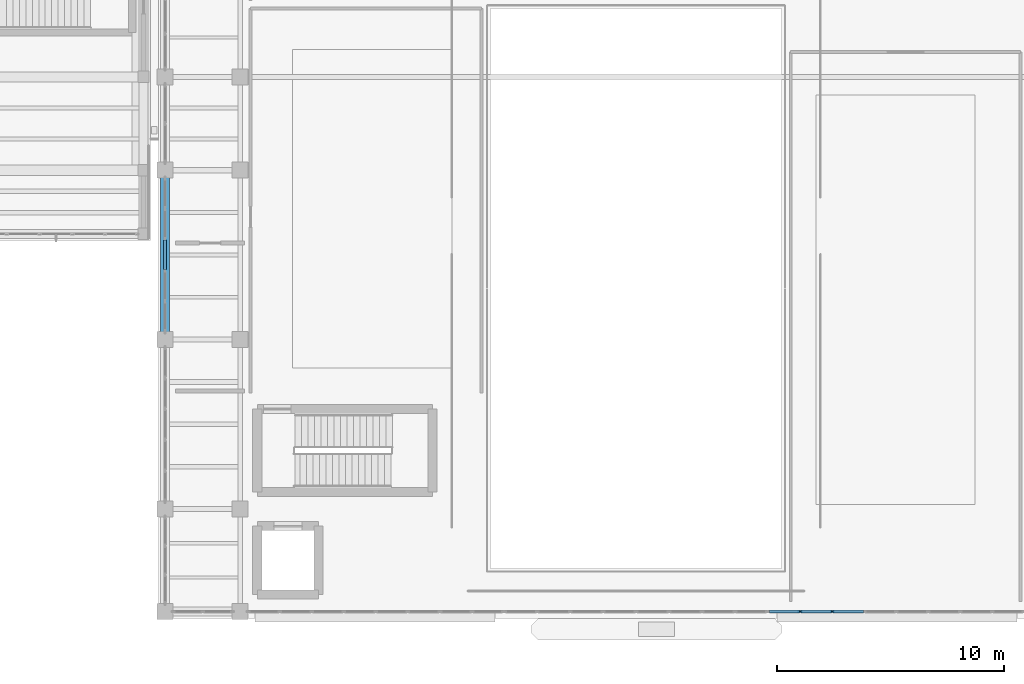
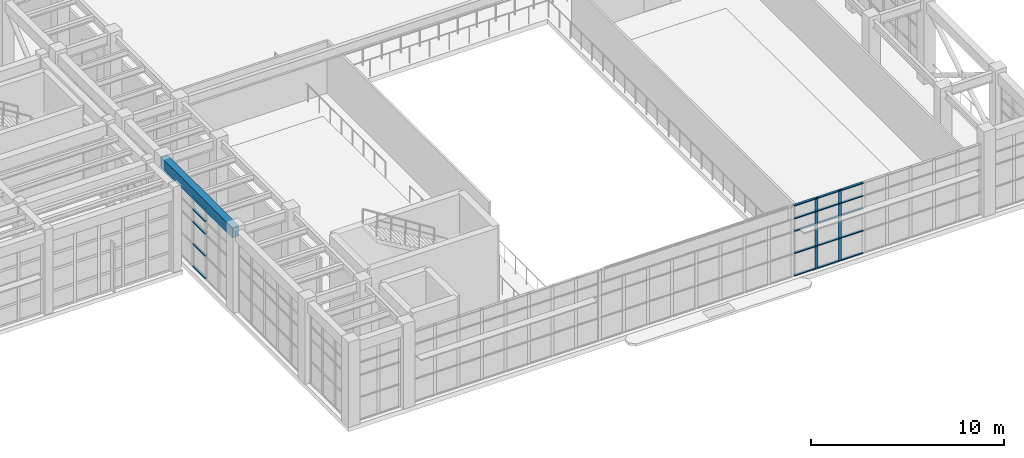
# One storey, part 36 of 103: 22 members, 1 beam, 2 elements without a shape of their own.
"""IFC4 building model written with IfcOpenShell, lengths in metres."""

from ifc_helpers import new_model, si_unit, direction, frame, origin, origin_2d, place, context, subcontext, project, spatial, rectangle, extrude, material, layer, layer_set, material_profile, profile_set, type_object, element, aggregate, save


model = new_model("IFC4")

# Units and contexts
model_context = context("Model", 3, precision=1e-05, world=origin(), true_north=direction((0.0, 1.0)))
body_context = subcontext(model_context, "Body", "Model", "MODEL_VIEW")
ifc_project = project(units=[si_unit("LENGTHUNIT", "METRE"), si_unit("AREAUNIT", "SQUARE_METRE"), si_unit("VOLUMEUNIT", "CUBIC_METRE"), si_unit("PLANEANGLEUNIT", "RADIAN"), si_unit("MASSUNIT", "GRAM", prefix="KILO")], contexts=[model_context])

# Site, building, storey
site_placement = place(None, origin())
site = spatial("IfcSite", under=ifc_project, at=site_placement, CompositionType="ELEMENT")
building_placement = place(site_placement, origin())
building = spatial("IfcBuilding", under=site, at=building_placement, Name="Candilejo Ridge Gondola Terminal", CompositionType="ELEMENT")
storey_placement = place(building_placement, frame((0.0, 0.0, 9.0)))
storey = spatial("IfcBuildingStorey", under=building, at=storey_placement, Name="L02", CompositionType="ELEMENT", Elevation=9.0)

# Curtain wall, members
ifc_material_1 = material(Name="Anodised aluminium AA 6063-T6", Category="aluminium")
ifc_layer_1 = layer(ifc_material_1, 0.169921875)
ifc_layer_set_1 = layer_set([ifc_layer_1], Name="ARC-CW-HALL-3800-1128X449")
curtain_wall_type_1 = type_object("IfcCurtainWallType", Name="ARC-CW-HALL-3800-1128X449", PredefinedType="NOTDEFINED", material=ifc_layer_set_1)
curtain_wall_1_placement = place(storey_placement, origin())
curtain_wall_1 = element("IfcCurtainWall", 1, at=curtain_wall_1_placement, inside=storey, type_object=curtain_wall_type_1, Name="Curtain wall V4 L02-148", PredefinedType="NOTDEFINED")
ifc_material_2 = material(Name="Anodised aluminium AA 6063-T6", Category="aluminium")
ifc_material_profile_1 = material_profile(ifc_material_2, rectangle(XDim=0.06494140625, YDim=0.179931640625, at=origin_2d()))
ifc_profile_set_1 = profile_set([ifc_material_profile_1], Name="Anodised aluminium AA 6063-T6")
member_type_1 = type_object("IfcMemberType", Name="ARC-CW-MULLION-180", PredefinedType="MULLION", material=ifc_profile_set_1)
member_1_placement = place(storey_placement, frame((161.809326171875, 6.300048828125, 0.0), z_axis=(0.0, 0.0, 1.0), x_axis=(0.0, 1.0, 0.0)))
member_1 = element("IfcMember", 2, at=member_1_placement, type_object=member_type_1, Name="CW-112X44 mullion 2", PredefinedType="MULLION", context=body_context, shape_type="SweptSolid", body=[
    extrude(rectangle(XDim=0.06494140625, YDim=0.179931640625, at=origin_2d()), origin(), (0.0, 0.0, 1.0), 4.489990234375),
])
member_2_placement = place(storey_placement, frame((163.21875, 6.300048828125, 0.0), z_axis=(0.0, 0.0, 1.0), x_axis=(0.0, 1.0, 0.0)))
member_2 = element("IfcMember", 3, at=member_2_placement, type_object=member_type_1, Name="CW-112X44 mullion 3", PredefinedType="MULLION", context=body_context, shape_type="SweptSolid", body=[
    extrude(rectangle(XDim=0.06494140625, YDim=0.179931640625, at=origin_2d()), origin(), (0.0, 0.0, 1.0), 4.489990234375),
])

ifc_material_3 = material(Name="Anodised aluminium AA 6063-T6", Category="aluminium")
ifc_layer_2 = layer(ifc_material_3, 0.169921875)
ifc_layer_set_2 = layer_set([ifc_layer_2], Name="ARC-CW-HALL-3800-680X449")
curtain_wall_type_2 = type_object("IfcCurtainWallType", Name="ARC-CW-HALL-3800-680X449", PredefinedType="NOTDEFINED", material=ifc_layer_set_2)
curtain_wall_2_placement = place(storey_placement, origin())
curtain_wall_2 = element("IfcCurtainWall", 4, at=curtain_wall_2_placement, inside=storey, type_object=curtain_wall_type_2, Name="Curtain wall V4 L02-135", PredefinedType="NOTDEFINED")
ifc_material_4 = material(Name="Anodised aluminium AA 6063-T6", Category="aluminium")
ifc_material_profile_2 = material_profile(ifc_material_4, rectangle(XDim=0.1298828125, YDim=0.06005859375, at=origin_2d()))
ifc_profile_set_2 = profile_set([ifc_material_profile_2], Name="Anodised aluminium AA 6063-T6")
member_type_2 = type_object("IfcMemberType", Name="ARC-CW-TRANSOM-130", PredefinedType="USERDEFINED", material=ifc_profile_set_2)
member_3_placement = place(storey_placement, frame((133.89990234375, 21.327392578125, 0.030029296875), z_axis=(0.0, 1.0, 0.0), x_axis=(-1.0, 0.0, 0.0)))
member_3 = element("IfcMember", 5, at=member_3_placement, type_object=member_type_2, Name="CW-68X44 transom 3.1", ObjectType="TRANSOM", PredefinedType="USERDEFINED", context=body_context, shape_type="SweptSolid", body=[
    extrude(rectangle(XDim=0.1298828125, YDim=0.06005859375, at=origin_2d()), origin(), (0.0, 0.0, 1.0), 1.295166015625),
])
member_4_placement = place(storey_placement, frame((133.89990234375, 21.327392578125, 1.449951171875), z_axis=(0.0, 1.0, 0.0), x_axis=(-1.0, 0.0, 0.0)))
member_4 = element("IfcMember", 6, at=member_4_placement, type_object=member_type_2, Name="CW-68X44 transom 3.2", ObjectType="TRANSOM", PredefinedType="USERDEFINED", context=body_context, shape_type="SweptSolid", body=[
    extrude(rectangle(XDim=0.1298828125, YDim=0.06005859375, at=origin_2d()), origin(), (0.0, 0.0, 1.0), 1.295166015625),
])
member_5_placement = place(storey_placement, frame((133.89990234375, 21.327392578125, 2.85009765625), z_axis=(0.0, 1.0, 0.0), x_axis=(-1.0, 0.0, 0.0)))
member_5 = element("IfcMember", 7, at=member_5_placement, type_object=member_type_2, Name="CW-68X44 transom 3.3", ObjectType="TRANSOM", PredefinedType="USERDEFINED", context=body_context, shape_type="SweptSolid", body=[
    extrude(rectangle(XDim=0.1298828125, YDim=0.06005859375, at=origin_2d()), origin(), (0.0, 0.0, 1.0), 1.295166015625),
])
member_6_placement = place(storey_placement, frame((133.89990234375, 21.327392578125, 3.64990234375), z_axis=(0.0, 1.0, 0.0), x_axis=(-1.0, 0.0, 0.0)))
member_6 = element("IfcMember", 8, at=member_6_placement, type_object=member_type_2, Name="CW-68X44 transom 3.4", ObjectType="TRANSOM", PredefinedType="USERDEFINED", context=body_context, shape_type="SweptSolid", body=[
    extrude(rectangle(XDim=0.1298828125, YDim=0.06005859375, at=origin_2d()), origin(), (0.0, 0.0, 1.0), 1.295166015625),
])
member_7_placement = place(storey_placement, frame((133.89990234375, 21.327392578125, 4.4599609375), z_axis=(0.0, 1.0, 0.0), x_axis=(-1.0, 0.0, 0.0)))
member_7 = element("IfcMember", 9, at=member_7_placement, type_object=member_type_2, Name="CW-68X44 transom 3.5", ObjectType="TRANSOM", PredefinedType="USERDEFINED", context=body_context, shape_type="SweptSolid", body=[
    extrude(rectangle(XDim=0.1298828125, YDim=0.06005859375, at=origin_2d()), origin(), (0.0, 0.0, 1.0), 1.295166015625),
])
aggregate(curtain_wall_2, [member_3, member_4, member_5, member_6, member_7])

# Member
member_8_placement = place(storey_placement, frame((160.465087890625, 6.300048828125, 0.030029296875), z_axis=(1.0, 0.0, 0.0), x_axis=(0.0, 1.0, 0.0)))
member_8 = element("IfcMember", 10, at=member_8_placement, type_object=member_type_2, Name="CW-112X44 transom 1.1", ObjectType="TRANSOM", PredefinedType="USERDEFINED", context=body_context, shape_type="SweptSolid", body=[
    extrude(rectangle(XDim=0.1298828125, YDim=0.06005859375, at=origin_2d()), origin(), (0.0, 0.0, 1.0), 1.311767578125),
])

member_9_placement = place(storey_placement, frame((160.465087890625, 6.300048828125, 1.449951171875), z_axis=(1.0, 0.0, 0.0), x_axis=(0.0, 1.0, 0.0)))
member_9 = element("IfcMember", 11, at=member_9_placement, type_object=member_type_2, Name="CW-112X44 transom 1.2", ObjectType="TRANSOM", PredefinedType="USERDEFINED", context=body_context, shape_type="SweptSolid", body=[
    extrude(rectangle(XDim=0.1298828125, YDim=0.06005859375, at=origin_2d()), origin(), (0.0, 0.0, 1.0), 1.311767578125),
])

member_10_placement = place(storey_placement, frame((160.465087890625, 6.300048828125, 2.85009765625), z_axis=(1.0, 0.0, 0.0), x_axis=(0.0, 1.0, 0.0)))
member_10 = element("IfcMember", 12, at=member_10_placement, type_object=member_type_2, Name="CW-112X44 transom 1.3", ObjectType="TRANSOM", PredefinedType="USERDEFINED", context=body_context, shape_type="SweptSolid", body=[
    extrude(rectangle(XDim=0.1298828125, YDim=0.06005859375, at=origin_2d()), origin(), (0.0, 0.0, 1.0), 1.311767578125),
])

member_11_placement = place(storey_placement, frame((160.465087890625, 6.300048828125, 3.64990234375), z_axis=(1.0, 0.0, 0.0), x_axis=(0.0, 1.0, 0.0)))
member_11 = element("IfcMember", 13, at=member_11_placement, type_object=member_type_2, Name="CW-112X44 transom 1.4", ObjectType="TRANSOM", PredefinedType="USERDEFINED", context=body_context, shape_type="SweptSolid", body=[
    extrude(rectangle(XDim=0.1298828125, YDim=0.06005859375, at=origin_2d()), origin(), (0.0, 0.0, 1.0), 1.311767578125),
])

member_12_placement = place(storey_placement, frame((160.465087890625, 6.300048828125, 4.4599609375), z_axis=(1.0, 0.0, 0.0), x_axis=(0.0, 1.0, 0.0)))
member_12 = element("IfcMember", 14, at=member_12_placement, type_object=member_type_2, Name="CW-112X44 transom 1.5", ObjectType="TRANSOM", PredefinedType="USERDEFINED", context=body_context, shape_type="SweptSolid", body=[
    extrude(rectangle(XDim=0.1298828125, YDim=0.06005859375, at=origin_2d()), origin(), (0.0, 0.0, 1.0), 1.311767578125),
])

member_13_placement = place(storey_placement, frame((161.841796875, 6.300048828125, 0.030029296875), z_axis=(1.0, 0.0, 0.0), x_axis=(0.0, 1.0, 0.0)))
member_13 = element("IfcMember", 15, at=member_13_placement, type_object=member_type_2, Name="CW-112X44 transom 2.1", ObjectType="TRANSOM", PredefinedType="USERDEFINED", context=body_context, shape_type="SweptSolid", body=[
    extrude(rectangle(XDim=0.1298828125, YDim=0.06005859375, at=origin_2d()), origin(), (0.0, 0.0, 1.0), 1.344482421875),
])

member_14_placement = place(storey_placement, frame((161.841796875, 6.300048828125, 1.449951171875), z_axis=(1.0, 0.0, 0.0), x_axis=(0.0, 1.0, 0.0)))
member_14 = element("IfcMember", 16, at=member_14_placement, type_object=member_type_2, Name="CW-112X44 transom 2.2", ObjectType="TRANSOM", PredefinedType="USERDEFINED", context=body_context, shape_type="SweptSolid", body=[
    extrude(rectangle(XDim=0.1298828125, YDim=0.06005859375, at=origin_2d()), origin(), (0.0, 0.0, 1.0), 1.344482421875),
])

member_15_placement = place(storey_placement, frame((161.841796875, 6.300048828125, 2.85009765625), z_axis=(1.0, 0.0, 0.0), x_axis=(0.0, 1.0, 0.0)))
member_15 = element("IfcMember", 17, at=member_15_placement, type_object=member_type_2, Name="CW-112X44 transom 2.3", ObjectType="TRANSOM", PredefinedType="USERDEFINED", context=body_context, shape_type="SweptSolid", body=[
    extrude(rectangle(XDim=0.1298828125, YDim=0.06005859375, at=origin_2d()), origin(), (0.0, 0.0, 1.0), 1.344482421875),
])

member_16_placement = place(storey_placement, frame((161.841796875, 6.300048828125, 3.64990234375), z_axis=(1.0, 0.0, 0.0), x_axis=(0.0, 1.0, 0.0)))
member_16 = element("IfcMember", 18, at=member_16_placement, type_object=member_type_2, Name="CW-112X44 transom 2.4", ObjectType="TRANSOM", PredefinedType="USERDEFINED", context=body_context, shape_type="SweptSolid", body=[
    extrude(rectangle(XDim=0.1298828125, YDim=0.06005859375, at=origin_2d()), origin(), (0.0, 0.0, 1.0), 1.344482421875),
])

member_17_placement = place(storey_placement, frame((161.841796875, 6.300048828125, 4.4599609375), z_axis=(1.0, 0.0, 0.0), x_axis=(0.0, 1.0, 0.0)))
member_17 = element("IfcMember", 19, at=member_17_placement, type_object=member_type_2, Name="CW-112X44 transom 2.5", ObjectType="TRANSOM", PredefinedType="USERDEFINED", context=body_context, shape_type="SweptSolid", body=[
    extrude(rectangle(XDim=0.1298828125, YDim=0.06005859375, at=origin_2d()), origin(), (0.0, 0.0, 1.0), 1.344482421875),
])

member_18_placement = place(storey_placement, frame((163.251220703125, 6.300048828125, 0.030029296875), z_axis=(1.0, 0.0, 0.0), x_axis=(0.0, 1.0, 0.0)))
member_18 = element("IfcMember", 20, at=member_18_placement, type_object=member_type_2, Name="CW-112X44 transom 3.1", ObjectType="TRANSOM", PredefinedType="USERDEFINED", context=body_context, shape_type="SweptSolid", body=[
    extrude(rectangle(XDim=0.1298828125, YDim=0.06005859375, at=origin_2d()), origin(), (0.0, 0.0, 1.0), 1.344482421875),
])

member_19_placement = place(storey_placement, frame((163.251220703125, 6.300048828125, 1.449951171875), z_axis=(1.0, 0.0, 0.0), x_axis=(0.0, 1.0, 0.0)))
member_19 = element("IfcMember", 21, at=member_19_placement, type_object=member_type_2, Name="CW-112X44 transom 3.2", ObjectType="TRANSOM", PredefinedType="USERDEFINED", context=body_context, shape_type="SweptSolid", body=[
    extrude(rectangle(XDim=0.1298828125, YDim=0.06005859375, at=origin_2d()), origin(), (0.0, 0.0, 1.0), 1.344482421875),
])

member_20_placement = place(storey_placement, frame((163.251220703125, 6.300048828125, 2.85009765625), z_axis=(1.0, 0.0, 0.0), x_axis=(0.0, 1.0, 0.0)))
member_20 = element("IfcMember", 22, at=member_20_placement, type_object=member_type_2, Name="CW-112X44 transom 3.3", ObjectType="TRANSOM", PredefinedType="USERDEFINED", context=body_context, shape_type="SweptSolid", body=[
    extrude(rectangle(XDim=0.1298828125, YDim=0.06005859375, at=origin_2d()), origin(), (0.0, 0.0, 1.0), 1.344482421875),
])

member_21_placement = place(storey_placement, frame((163.251220703125, 6.300048828125, 3.64990234375), z_axis=(1.0, 0.0, 0.0), x_axis=(0.0, 1.0, 0.0)))
member_21 = element("IfcMember", 23, at=member_21_placement, type_object=member_type_2, Name="CW-112X44 transom 3.4", ObjectType="TRANSOM", PredefinedType="USERDEFINED", context=body_context, shape_type="SweptSolid", body=[
    extrude(rectangle(XDim=0.1298828125, YDim=0.06005859375, at=origin_2d()), origin(), (0.0, 0.0, 1.0), 1.344482421875),
])

member_22_placement = place(storey_placement, frame((163.251220703125, 6.300048828125, 4.4599609375), z_axis=(1.0, 0.0, 0.0), x_axis=(0.0, 1.0, 0.0)))
member_22 = element("IfcMember", 24, at=member_22_placement, type_object=member_type_2, Name="CW-112X44 transom 3.5", ObjectType="TRANSOM", PredefinedType="USERDEFINED", context=body_context, shape_type="SweptSolid", body=[
    extrude(rectangle(XDim=0.1298828125, YDim=0.06005859375, at=origin_2d()), origin(), (0.0, 0.0, 1.0), 1.344482421875),
])

aggregate(curtain_wall_1, [member_1, member_2, member_8, member_9, member_10, member_11, member_12, member_13, member_14, member_15, member_16, member_17, member_18, member_19, member_20, member_21, member_22])

# Beam
ifc_material_5 = material(Name="Concrete f'c 35 MPa (C35/45)", Category="concrete")
ifc_material_profile_3 = material_profile(ifc_material_5, rectangle(XDim=0.39990234375, YDim=0.64990234375, at=origin_2d()))
ifc_profile_set_3 = profile_set([ifc_material_profile_3], Name="Concrete f'c 35 MPa (C35/45)")
beam_type = type_object("IfcBeamType", Name="STR-SPN-RC400X650", PredefinedType="SPANDREL", material=ifc_profile_set_3)
beam_placement = place(storey_placement, frame((133.89990234375, 18.25, 4.8349609375), z_axis=(0.0, 1.0, 0.0), x_axis=(-1.0, 0.0, 0.0)))
element("IfcBeam", 25, at=beam_placement, inside=storey, type_object=beam_type, Name="Beam Y V4 L02 Y03-Y05@X21", PredefinedType="SPANDREL", context=body_context, shape_type="SweptSolid", body=[
    extrude(rectangle(XDim=0.39990234375, YDim=0.64990234375, at=origin_2d()), origin(), (0.0, 0.0, 1.0), 7.449951171875),
])

save(model, "model.ifc")
